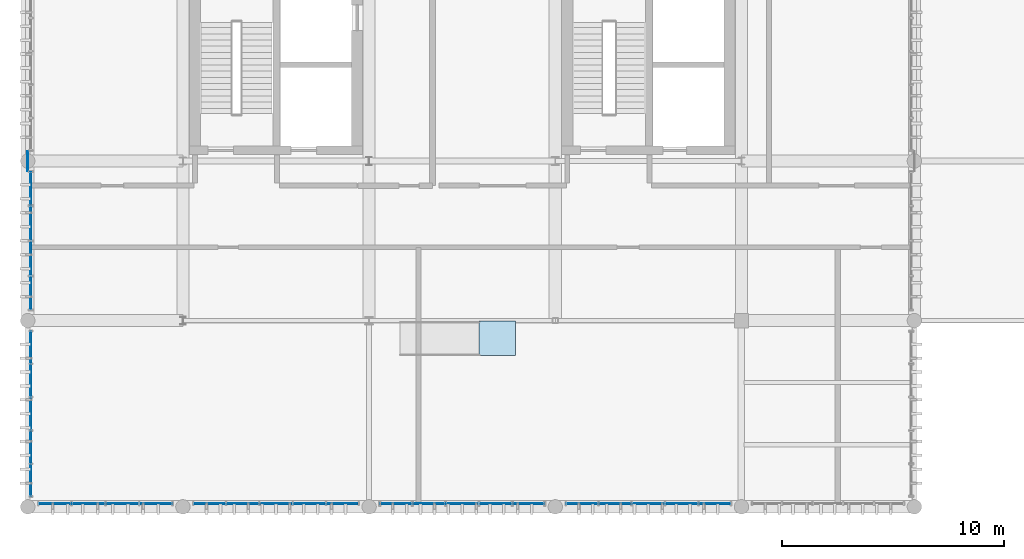
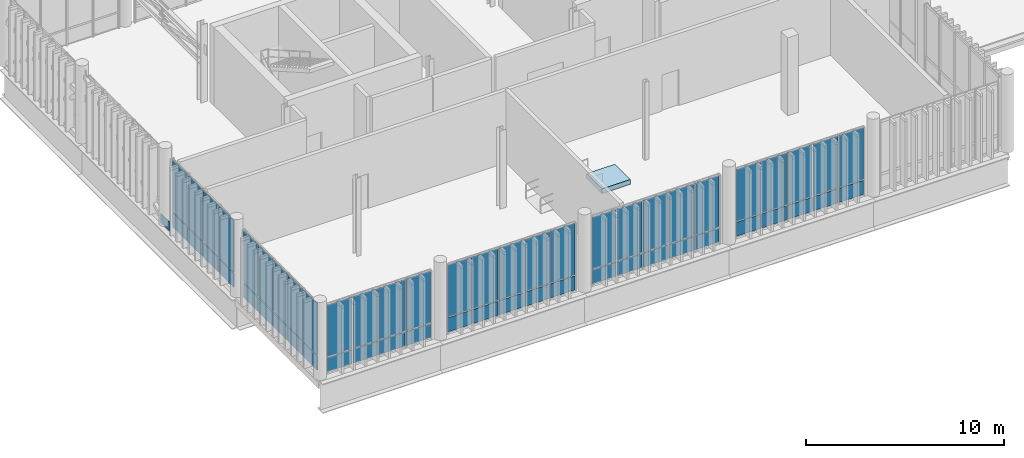
# One storey, part 59 of 81: 57 plates, 1 slab, 6 elements without a shape of their own.
"""IFC4 building model written with IfcOpenShell, lengths in metres."""

from ifc_helpers import new_model, si_unit, direction, frame, frame_2d, origin_with_axes, origin_2d_with_axis, place, context, subcontext, project, spatial, polyline, rectangle, outline, extrude, material, layer, layer_set, type_object, element, aggregate, save


model = new_model("IFC4")

# Units and contexts
model_context = context("Model", 3, precision=1e-05, world=origin_with_axes(), true_north=direction((0.0, 1.0)))
body_context = subcontext(model_context, "Body", "Model", "MODEL_VIEW")
ifc_project = project(units=[si_unit("LENGTHUNIT", "METRE"), si_unit("AREAUNIT", "SQUARE_METRE"), si_unit("VOLUMEUNIT", "CUBIC_METRE"), si_unit("PLANEANGLEUNIT", "RADIAN"), si_unit("MASSUNIT", "GRAM", prefix="KILO"), si_unit("THERMODYNAMICTEMPERATUREUNIT", "KELVIN")], contexts=[model_context])

# Site, building, storey
site_placement = place(None, origin_with_axes())
site = spatial("IfcSite", under=ifc_project, at=site_placement, CompositionType="ELEMENT")
building_placement = place(site_placement, origin_with_axes())
building = spatial("IfcBuilding", under=site, at=building_placement, Name="Montbau Bow Law Courts", CompositionType="ELEMENT")
storey_placement = place(building_placement, frame((0.0, 0.0, 24.9), z_axis=(0.0, 0.0, 1.0), x_axis=(1.0, 0.0, 0.0)))
storey = spatial("IfcBuildingStorey", under=building, at=storey_placement, Name="L05", CompositionType="ELEMENT", Elevation=24.9)

# Curtain wall, plates
ifc_material_1 = material(Name="Thermally Broken Extruded Aluminium AA 6063-T6", Category="aluminium")
curtain_wall_type = type_object("IfcCurtainWallType", Name="CW-TRC-02", PredefinedType="NOTDEFINED", material=ifc_material_1)
curtain_wall_1_placement = place(None, frame((7.24, 30.74, 24.9), z_axis=(0.0, 0.0, 1.0), x_axis=(1.0, 0.0, 0.0)))
curtain_wall_1 = element("IfcCurtainWall", 1, at=curtain_wall_1_placement, inside=storey, type_object=curtain_wall_type, Name="CW-L05-076:cw_0076", PredefinedType="NOTDEFINED")
ifc_material_2 = material(Name="Triple-Glazed Low-E Argon Insulating Glass Unit", Category="glass")
ifc_layer_1 = layer(ifc_material_2, 0.044, Name="Curtain Panel", Category="glass")
ifc_layer_set_1 = layer_set([ifc_layer_1], Name="Triple-Glazed Low-E Argon Insulating Glass Unit")
plate_type_1 = type_object("IfcPlateType", Name="PL-CWP-01", PredefinedType="CURTAIN_PANEL", material=ifc_layer_set_1)
plate_1_placement = place(None, frame((7.308, 30.74, 25.882), z_axis=(0.0, -1.0, 0.0), x_axis=(1.0, 0.0, 0.0)))
plate_1 = element("IfcPlate", 2, at=plate_1_placement, type_object=plate_type_1, Name="CW-L05-076-P01-2:cw_0076_P01_2", PredefinedType="CURTAIN_PANEL", context=body_context, shape_type="SweptSolid", body=[
    extrude(rectangle(XDim=1.428, YDim=3.176, at=frame_2d((0.714, 1.588), x_axis=(1.0, 0.0))), frame((0.0, 0.0, -0.022), z_axis=(0.0, 0.0, 1.0), x_axis=(1.0, 0.0, 0.0)), (0.0, 0.0, 1.0), 0.044),
])
plate_2_placement = place(None, frame((8.805, 30.74, 25.882), z_axis=(0.0, -1.0, 0.0), x_axis=(1.0, 0.0, 0.0)))
plate_2 = element("IfcPlate", 3, at=plate_2_placement, type_object=plate_type_1, Name="CW-L05-076-P02-2:cw_0076_P02_2", PredefinedType="CURTAIN_PANEL", context=body_context, shape_type="SweptSolid", body=[
    extrude(rectangle(XDim=1.461, YDim=3.176, at=frame_2d((0.7305, 1.588), x_axis=(1.0, 0.0))), frame((0.0, 0.0, -0.022), z_axis=(0.0, 0.0, 1.0), x_axis=(1.0, 0.0, 0.0)), (0.0, 0.0, 1.0), 0.044),
])
plate_3_placement = place(None, frame((10.335, 30.74, 25.882), z_axis=(0.0, -1.0, 0.0), x_axis=(1.0, 0.0, 0.0)))
plate_3 = element("IfcPlate", 4, at=plate_3_placement, type_object=plate_type_1, Name="CW-L05-076-P03-2:cw_0076_P03_2", PredefinedType="CURTAIN_PANEL", context=body_context, shape_type="SweptSolid", body=[
    extrude(rectangle(XDim=1.461, YDim=3.176, at=frame_2d((0.7305, 1.588), x_axis=(1.0, 0.0))), frame((0.0, 0.0, -0.022), z_axis=(0.0, 0.0, 1.0), x_axis=(1.0, 0.0, 0.0)), (0.0, 0.0, 1.0), 0.044),
])
plate_4_placement = place(None, frame((11.864, 30.74, 25.882), z_axis=(0.0, -1.0, 0.0), x_axis=(1.0, 0.0, 0.0)))
plate_4 = element("IfcPlate", 5, at=plate_4_placement, type_object=plate_type_1, Name="CW-L05-076-P04-2:cw_0076_P04_2", PredefinedType="CURTAIN_PANEL", context=body_context, shape_type="SweptSolid", body=[
    extrude(rectangle(XDim=1.429, YDim=3.176, at=frame_2d((0.7145, 1.588), x_axis=(1.0, 0.0))), frame((0.0, 0.0, -0.022), z_axis=(0.0, 0.0, 1.0), x_axis=(1.0, 0.0, 0.0)), (0.0, 0.0, 1.0), 0.044),
])

curtain_wall_2_placement = place(None, frame((14.24, 30.74, 24.9), z_axis=(0.0, 0.0, 1.0), x_axis=(1.0, 0.0, 0.0)))
curtain_wall_2 = element("IfcCurtainWall", 6, at=curtain_wall_2_placement, inside=storey, type_object=curtain_wall_type, Name="CW-L05-077:cw_0077", PredefinedType="NOTDEFINED")
plate_5_placement = place(None, frame((14.302, 30.74, 25.88), z_axis=(0.0, -1.0, 0.0), x_axis=(1.0, 0.0, 0.0)))
plate_5 = element("IfcPlate", 7, at=plate_5_placement, type_object=plate_type_1, Name="CW-L05-077-P01-2:cw_0077_P01_2", PredefinedType="CURTAIN_PANEL", context=body_context, shape_type="SweptSolid", body=[
    extrude(rectangle(XDim=1.41, YDim=3.184, at=frame_2d((0.705, 1.592), x_axis=(1.0, 0.0))), frame((0.0, 0.0, -0.022), z_axis=(0.0, 0.0, 1.0), x_axis=(1.0, 0.0, 0.0)), (0.0, 0.0, 1.0), 0.044),
])
plate_6_placement = place(None, frame((15.776, 30.74, 25.88), z_axis=(0.0, -1.0, 0.0), x_axis=(1.0, 0.0, 0.0)))
plate_6 = element("IfcPlate", 8, at=plate_6_placement, type_object=plate_type_1, Name="CW-L05-077-P02-2:cw_0077_P02_2", PredefinedType="CURTAIN_PANEL", context=body_context, shape_type="SweptSolid", body=[
    extrude(rectangle(XDim=1.44, YDim=3.184, at=frame_2d((0.72, 1.592), x_axis=(1.0, 0.0))), frame((0.0, 0.0, -0.022), z_axis=(0.0, 0.0, 1.0), x_axis=(1.0, 0.0, 0.0)), (0.0, 0.0, 1.0), 0.044),
])
plate_7_placement = place(None, frame((17.28, 30.74, 25.88), z_axis=(0.0, -1.0, 0.0), x_axis=(1.0, 0.0, 0.0)))
plate_7 = element("IfcPlate", 9, at=plate_7_placement, type_object=plate_type_1, Name="CW-L05-077-P03-2:cw_0077_P03_2", PredefinedType="CURTAIN_PANEL", context=body_context, shape_type="SweptSolid", body=[
    extrude(rectangle(XDim=1.44, YDim=3.184, at=frame_2d((0.72, 1.592), x_axis=(1.0, 0.0))), frame((0.0, 0.0, -0.022), z_axis=(0.0, 0.0, 1.0), x_axis=(1.0, 0.0, 0.0)), (0.0, 0.0, 1.0), 0.044),
])
plate_8_placement = place(None, frame((18.784, 30.74, 25.88), z_axis=(0.0, -1.0, 0.0), x_axis=(1.0, 0.0, 0.0)))
plate_8 = element("IfcPlate", 10, at=plate_8_placement, type_object=plate_type_1, Name="CW-L05-077-P04-2:cw_0077_P04_2", PredefinedType="CURTAIN_PANEL", context=body_context, shape_type="SweptSolid", body=[
    extrude(rectangle(XDim=1.44, YDim=3.184, at=frame_2d((0.72, 1.592), x_axis=(1.0, 0.0))), frame((0.0, 0.0, -0.022), z_axis=(0.0, 0.0, 1.0), x_axis=(1.0, 0.0, 0.0)), (0.0, 0.0, 1.0), 0.044),
])
plate_9_placement = place(None, frame((20.288, 30.74, 25.88), z_axis=(0.0, -1.0, 0.0), x_axis=(1.0, 0.0, 0.0)))
plate_9 = element("IfcPlate", 11, at=plate_9_placement, type_object=plate_type_1, Name="CW-L05-077-P05-2:cw_0077_P05_2", PredefinedType="CURTAIN_PANEL", context=body_context, shape_type="SweptSolid", body=[
    extrude(rectangle(XDim=1.41, YDim=3.184, at=frame_2d((0.705, 1.592), x_axis=(1.0, 0.0))), frame((0.0, 0.0, -0.022), z_axis=(0.0, 0.0, 1.0), x_axis=(1.0, 0.0, 0.0)), (0.0, 0.0, 1.0), 0.044),
])

curtain_wall_3_placement = place(None, frame((22.64, 30.74, 24.9), z_axis=(0.0, 0.0, 1.0), x_axis=(1.0, 0.0, 0.0)))
curtain_wall_3 = element("IfcCurtainWall", 12, at=curtain_wall_3_placement, inside=storey, type_object=curtain_wall_type, Name="CW-L05-078:cw_0078", PredefinedType="NOTDEFINED")
plate_10_placement = place(None, frame((22.716, 30.74, 25.882), z_axis=(0.0, -1.0, 0.0), x_axis=(1.0, 0.0, 0.0)))
plate_10 = element("IfcPlate", 13, at=plate_10_placement, type_object=plate_type_1, Name="CW-L05-078-P01-2:cw_0078_P01_2", PredefinedType="CURTAIN_PANEL", context=body_context, shape_type="SweptSolid", body=[
    extrude(rectangle(XDim=1.388, YDim=3.176, at=frame_2d((0.694, 1.588), x_axis=(1.0, 0.0))), frame((0.0, 0.0, -0.022), z_axis=(0.0, 0.0, 1.0), x_axis=(1.0, 0.0, 0.0)), (0.0, 0.0, 1.0), 0.044),
])
plate_11_placement = place(None, frame((24.184, 30.74, 25.882), z_axis=(0.0, -1.0, 0.0), x_axis=(1.0, 0.0, 0.0)))
plate_11 = element("IfcPlate", 14, at=plate_11_placement, type_object=plate_type_1, Name="CW-L05-078-P02-2:cw_0078_P02_2", PredefinedType="CURTAIN_PANEL", context=body_context, shape_type="SweptSolid", body=[
    extrude(rectangle(XDim=1.425, YDim=3.176, at=frame_2d((0.7125, 1.588), x_axis=(1.0, 0.0))), frame((0.0, 0.0, -0.022), z_axis=(0.0, 0.0, 1.0), x_axis=(1.0, 0.0, 0.0)), (0.0, 0.0, 1.0), 0.044),
])
plate_12_placement = place(None, frame((25.687, 30.74, 25.882), z_axis=(0.0, -1.0, 0.0), x_axis=(1.0, 0.0, 0.0)))
plate_12 = element("IfcPlate", 15, at=plate_12_placement, type_object=plate_type_1, Name="CW-L05-078-P03-2:cw_0078_P03_2", PredefinedType="CURTAIN_PANEL", context=body_context, shape_type="SweptSolid", body=[
    extrude(rectangle(XDim=1.426, YDim=3.176, at=frame_2d((0.713, 1.588), x_axis=(1.0, 0.0))), frame((0.0, 0.0, -0.022), z_axis=(0.0, 0.0, 1.0), x_axis=(1.0, 0.0, 0.0)), (0.0, 0.0, 1.0), 0.044),
])
plate_13_placement = place(None, frame((27.191, 30.74, 25.882), z_axis=(0.0, -1.0, 0.0), x_axis=(1.0, 0.0, 0.0)))
plate_13 = element("IfcPlate", 16, at=plate_13_placement, type_object=plate_type_1, Name="CW-L05-078-P04-2:cw_0078_P04_2", PredefinedType="CURTAIN_PANEL", context=body_context, shape_type="SweptSolid", body=[
    extrude(rectangle(XDim=1.426, YDim=3.176, at=frame_2d((0.713, 1.588), x_axis=(1.0, 0.0))), frame((0.0, 0.0, -0.022), z_axis=(0.0, 0.0, 1.0), x_axis=(1.0, 0.0, 0.0)), (0.0, 0.0, 1.0), 0.044),
])
plate_14_placement = place(None, frame((28.695, 30.74, 25.882), z_axis=(0.0, -1.0, 0.0), x_axis=(1.0, 0.0, 0.0)))
plate_14 = element("IfcPlate", 17, at=plate_14_placement, type_object=plate_type_1, Name="CW-L05-078-P05-2:cw_0078_P05_2", PredefinedType="CURTAIN_PANEL", context=body_context, shape_type="SweptSolid", body=[
    extrude(rectangle(XDim=1.388, YDim=3.176, at=frame_2d((0.694, 1.588), x_axis=(1.0, 0.0))), frame((0.0, 0.0, -0.022), z_axis=(0.0, 0.0, 1.0), x_axis=(1.0, 0.0, 0.0)), (0.0, 0.0, 1.0), 0.044),
])

curtain_wall_4_placement = place(None, frame((31.04, 30.74, 24.9), z_axis=(0.0, 0.0, 1.0), x_axis=(1.0, 0.0, 0.0)))
curtain_wall_4 = element("IfcCurtainWall", 18, at=curtain_wall_4_placement, inside=storey, type_object=curtain_wall_type, Name="CW-L05-079:cw_0079", PredefinedType="NOTDEFINED")
plate_15_placement = place(None, frame((31.108, 30.74, 25.88), z_axis=(0.0, -1.0, 0.0), x_axis=(1.0, 0.0, 0.0)))
plate_15 = element("IfcPlate", 19, at=plate_15_placement, type_object=plate_type_1, Name="CW-L05-079-P01-2:cw_0079_P01_2", PredefinedType="CURTAIN_PANEL", context=body_context, shape_type="SweptSolid", body=[
    extrude(rectangle(XDim=1.402, YDim=3.184, at=frame_2d((0.701, 1.592), x_axis=(1.0, 0.0))), frame((0.0, 0.0, -0.022), z_axis=(0.0, 0.0, 1.0), x_axis=(1.0, 0.0, 0.0)), (0.0, 0.0, 1.0), 0.044),
])
plate_16_placement = place(None, frame((32.578, 30.74, 25.88), z_axis=(0.0, -1.0, 0.0), x_axis=(1.0, 0.0, 0.0)))
plate_16 = element("IfcPlate", 20, at=plate_16_placement, type_object=plate_type_1, Name="CW-L05-079-P02-2:cw_0079_P02_2", PredefinedType="CURTAIN_PANEL", context=body_context, shape_type="SweptSolid", body=[
    extrude(rectangle(XDim=1.436, YDim=3.184, at=frame_2d((0.718, 1.592), x_axis=(1.0, 0.0))), frame((0.0, 0.0, -0.022), z_axis=(0.0, 0.0, 1.0), x_axis=(1.0, 0.0, 0.0)), (0.0, 0.0, 1.0), 0.044),
])
plate_17_placement = place(None, frame((34.082, 30.74, 25.88), z_axis=(0.0, -1.0, 0.0), x_axis=(1.0, 0.0, 0.0)))
plate_17 = element("IfcPlate", 21, at=plate_17_placement, type_object=plate_type_1, Name="CW-L05-079-P03-2:cw_0079_P03_2", PredefinedType="CURTAIN_PANEL", context=body_context, shape_type="SweptSolid", body=[
    extrude(rectangle(XDim=1.436, YDim=3.184, at=frame_2d((0.718, 1.592), x_axis=(1.0, 0.0))), frame((0.0, 0.0, -0.022), z_axis=(0.0, 0.0, 1.0), x_axis=(1.0, 0.0, 0.0)), (0.0, 0.0, 1.0), 0.044),
])
plate_18_placement = place(None, frame((35.586, 30.74, 25.88), z_axis=(0.0, -1.0, 0.0), x_axis=(1.0, 0.0, 0.0)))
plate_18 = element("IfcPlate", 22, at=plate_18_placement, type_object=plate_type_1, Name="CW-L05-079-P04-2:cw_0079_P04_2", PredefinedType="CURTAIN_PANEL", context=body_context, shape_type="SweptSolid", body=[
    extrude(rectangle(XDim=1.436, YDim=3.184, at=frame_2d((0.718, 1.592), x_axis=(1.0, 0.0))), frame((0.0, 0.0, -0.022), z_axis=(0.0, 0.0, 1.0), x_axis=(1.0, 0.0, 0.0)), (0.0, 0.0, 1.0), 0.044),
])
plate_19_placement = place(None, frame((37.09, 30.74, 25.88), z_axis=(0.0, -1.0, 0.0), x_axis=(1.0, 0.0, 0.0)))
plate_19 = element("IfcPlate", 23, at=plate_19_placement, type_object=plate_type_1, Name="CW-L05-079-P05-2:cw_0079_P05_2", PredefinedType="CURTAIN_PANEL", context=body_context, shape_type="SweptSolid", body=[
    extrude(rectangle(XDim=1.404, YDim=3.184, at=frame_2d((0.702, 1.592), x_axis=(1.0, 0.0))), frame((0.0, 0.0, -0.022), z_axis=(0.0, 0.0, 1.0), x_axis=(1.0, 0.0, 0.0)), (0.0, 0.0, 1.0), 0.044),
])

curtain_wall_5_placement = place(None, frame((6.94, 31.04, 24.9), z_axis=(0.0, 0.0, 1.0), x_axis=(1.0, 0.0, 0.0)))
curtain_wall_5 = element("IfcCurtainWall", 24, at=curtain_wall_5_placement, inside=storey, type_object=curtain_wall_type, Name="CW-L05-086:cw_0086", PredefinedType="NOTDEFINED")
plate_20_placement = place(None, frame((6.94, 31.102, 25.882), z_axis=(1.0, 0.0, 0.0), x_axis=(0.0, 1.0, 0.0)))
plate_20 = element("IfcPlate", 25, at=plate_20_placement, type_object=plate_type_1, Name="CW-L05-086-P01-2:cw_0086_P01_2", PredefinedType="CURTAIN_PANEL", context=body_context, shape_type="SweptSolid", body=[
    extrude(rectangle(XDim=1.41, YDim=3.176, at=frame_2d((0.705, 1.588), x_axis=(1.0, 0.0))), frame((0.0, 0.0, -0.022), z_axis=(0.0, 0.0, 1.0), x_axis=(1.0, 0.0, 0.0)), (0.0, 0.0, 1.0), 0.044),
])
plate_21_placement = place(None, frame((6.94, 32.576, 25.882), z_axis=(1.0, 0.0, 0.0), x_axis=(0.0, 1.0, 0.0)))
plate_21 = element("IfcPlate", 26, at=plate_21_placement, type_object=plate_type_1, Name="CW-L05-086-P02-2:cw_0086_P02_2", PredefinedType="CURTAIN_PANEL", context=body_context, shape_type="SweptSolid", body=[
    extrude(rectangle(XDim=1.44, YDim=3.176, at=frame_2d((0.72, 1.588), x_axis=(1.0, 0.0))), frame((0.0, 0.0, -0.022), z_axis=(0.0, 0.0, 1.0), x_axis=(1.0, 0.0, 0.0)), (0.0, 0.0, 1.0), 0.044),
])
plate_22_placement = place(None, frame((6.94, 34.08, 25.882), z_axis=(1.0, 0.0, 0.0), x_axis=(0.0, 1.0, 0.0)))
plate_22 = element("IfcPlate", 27, at=plate_22_placement, type_object=plate_type_1, Name="CW-L05-086-P03-2:cw_0086_P03_2", PredefinedType="CURTAIN_PANEL", context=body_context, shape_type="SweptSolid", body=[
    extrude(rectangle(XDim=1.44, YDim=3.176, at=frame_2d((0.72, 1.588), x_axis=(1.0, 0.0))), frame((0.0, 0.0, -0.022), z_axis=(0.0, 0.0, 1.0), x_axis=(1.0, 0.0, 0.0)), (0.0, 0.0, 1.0), 0.044),
])
plate_23_placement = place(None, frame((6.94, 35.584, 25.882), z_axis=(1.0, 0.0, 0.0), x_axis=(0.0, 1.0, 0.0)))
plate_23 = element("IfcPlate", 28, at=plate_23_placement, type_object=plate_type_1, Name="CW-L05-086-P04-2:cw_0086_P04_2", PredefinedType="CURTAIN_PANEL", context=body_context, shape_type="SweptSolid", body=[
    extrude(rectangle(XDim=1.44, YDim=3.176, at=frame_2d((0.72, 1.588), x_axis=(1.0, 0.0))), frame((0.0, 0.0, -0.022), z_axis=(0.0, 0.0, 1.0), x_axis=(1.0, 0.0, 0.0)), (0.0, 0.0, 1.0), 0.044),
])
plate_24_placement = place(None, frame((6.94, 37.088, 25.882), z_axis=(1.0, 0.0, 0.0), x_axis=(0.0, 1.0, 0.0)))
plate_24 = element("IfcPlate", 29, at=plate_24_placement, type_object=plate_type_1, Name="CW-L05-086-P05-2:cw_0086_P05_2", PredefinedType="CURTAIN_PANEL", context=body_context, shape_type="SweptSolid", body=[
    extrude(rectangle(XDim=1.41, YDim=3.176, at=frame_2d((0.705, 1.588), x_axis=(1.0, 0.0))), frame((0.0, 0.0, -0.022), z_axis=(0.0, 0.0, 1.0), x_axis=(1.0, 0.0, 0.0)), (0.0, 0.0, 1.0), 0.044),
])

curtain_wall_6_placement = place(None, frame((6.94, 39.44, 24.9), z_axis=(0.0, 0.0, 1.0), x_axis=(1.0, 0.0, 0.0)))
curtain_wall_6 = element("IfcCurtainWall", 30, at=curtain_wall_6_placement, inside=storey, type_object=curtain_wall_type, Name="CW-L05-087:cw_0087", PredefinedType="NOTDEFINED")
plate_25_placement = place(None, frame((6.94, 39.516, 25.88), z_axis=(1.0, 0.0, 0.0), x_axis=(0.0, 1.0, 0.0)))
plate_25 = element("IfcPlate", 31, at=plate_25_placement, type_object=plate_type_1, Name="CW-L05-087-P01-2:cw_0087_P01_2", PredefinedType="CURTAIN_PANEL", context=body_context, shape_type="SweptSolid", body=[
    extrude(rectangle(XDim=1.464, YDim=3.184, at=frame_2d((0.732, 1.592), x_axis=(1.0, 0.0))), frame((0.0, 0.0, -0.022), z_axis=(0.0, 0.0, 1.0), x_axis=(1.0, 0.0, 0.0)), (0.0, 0.0, 1.0), 0.044),
])
plate_26_placement = place(None, frame((6.94, 41.06, 25.88), z_axis=(1.0, 0.0, 0.0), x_axis=(0.0, 1.0, 0.0)))
plate_26 = element("IfcPlate", 32, at=plate_26_placement, type_object=plate_type_1, Name="CW-L05-087-P02-2:cw_0087_P02_2", PredefinedType="CURTAIN_PANEL", context=body_context, shape_type="SweptSolid", body=[
    extrude(rectangle(XDim=1.501, YDim=3.184, at=frame_2d((0.7505, 1.592), x_axis=(1.0, 0.0))), frame((0.0, 0.0, -0.022), z_axis=(0.0, 0.0, 1.0), x_axis=(1.0, 0.0, 0.0)), (0.0, 0.0, 1.0), 0.044),
])
plate_27_placement = place(None, frame((6.94, 42.64, 25.88), z_axis=(1.0, 0.0, 0.0), x_axis=(0.0, 1.0, 0.0)))
plate_27 = element("IfcPlate", 33, at=plate_27_placement, type_object=plate_type_1, Name="CW-L05-087-P03-2:cw_0087_P03_2", PredefinedType="CURTAIN_PANEL", context=body_context, shape_type="SweptSolid", body=[
    extrude(rectangle(XDim=1.501, YDim=3.184, at=frame_2d((0.7505, 1.592), x_axis=(1.0, 0.0))), frame((0.0, 0.0, -0.022), z_axis=(0.0, 0.0, 1.0), x_axis=(1.0, 0.0, 0.0)), (0.0, 0.0, 1.0), 0.044),
])
plate_28_placement = place(None, frame((6.94, 44.219, 25.88), z_axis=(1.0, 0.0, 0.0), x_axis=(0.0, 1.0, 0.0)))
plate_28 = element("IfcPlate", 34, at=plate_28_placement, type_object=plate_type_1, Name="CW-L05-087-P04-2:cw_0087_P04_2", PredefinedType="CURTAIN_PANEL", context=body_context, shape_type="SweptSolid", body=[
    extrude(rectangle(XDim=1.465, YDim=3.184, at=frame_2d((0.7325, 1.592), x_axis=(1.0, 0.0))), frame((0.0, 0.0, -0.022), z_axis=(0.0, 0.0, 1.0), x_axis=(1.0, 0.0, 0.0)), (0.0, 0.0, 1.0), 0.044),
])

# Plate
ifc_material_3 = material(Name="Insulated Ceramic-Frit Spandrel Glazing Unit", Category="glass")
ifc_layer_2 = layer(ifc_material_3, 0.056, Name="Curtain Panel", Category="glass")
ifc_layer_set_2 = layer_set([ifc_layer_2], Name="Insulated Ceramic-Frit Spandrel Glazing Unit")
plate_type_2 = type_object("IfcPlateType", Name="PL-CWP-02", PredefinedType="CURTAIN_PANEL", material=ifc_layer_set_2)
plate_29_placement = place(None, frame((7.308, 30.74, 24.962), z_axis=(0.0, -1.0, 0.0), x_axis=(1.0, 0.0, 0.0)))
plate_29 = element("IfcPlate", 35, at=plate_29_placement, type_object=plate_type_2, Name="CW-L05-076-P01-1:cw_0076_P01_1", PredefinedType="CURTAIN_PANEL", context=body_context, shape_type="SweptSolid", body=[
    extrude(rectangle(XDim=1.428, YDim=0.856, at=frame_2d((0.714, 0.428), x_axis=(1.0, 0.0))), frame((0.0, 0.0, -0.028), z_axis=(0.0, 0.0, 1.0), x_axis=(1.0, 0.0, 0.0)), (0.0, 0.0, 1.0), 0.056),
])

plate_30_placement = place(None, frame((8.805, 30.74, 24.962), z_axis=(0.0, -1.0, 0.0), x_axis=(1.0, 0.0, 0.0)))
plate_30 = element("IfcPlate", 36, at=plate_30_placement, type_object=plate_type_2, Name="CW-L05-076-P02-1:cw_0076_P02_1", PredefinedType="CURTAIN_PANEL", context=body_context, shape_type="SweptSolid", body=[
    extrude(rectangle(XDim=1.461, YDim=0.856, at=frame_2d((0.7305, 0.428), x_axis=(1.0, 0.0))), frame((0.0, 0.0, -0.028), z_axis=(0.0, 0.0, 1.0), x_axis=(1.0, 0.0, 0.0)), (0.0, 0.0, 1.0), 0.056),
])

plate_31_placement = place(None, frame((10.335, 30.74, 24.962), z_axis=(0.0, -1.0, 0.0), x_axis=(1.0, 0.0, 0.0)))
plate_31 = element("IfcPlate", 37, at=plate_31_placement, type_object=plate_type_2, Name="CW-L05-076-P03-1:cw_0076_P03_1", PredefinedType="CURTAIN_PANEL", context=body_context, shape_type="SweptSolid", body=[
    extrude(rectangle(XDim=1.461, YDim=0.856, at=frame_2d((0.7305, 0.428), x_axis=(1.0, 0.0))), frame((0.0, 0.0, -0.028), z_axis=(0.0, 0.0, 1.0), x_axis=(1.0, 0.0, 0.0)), (0.0, 0.0, 1.0), 0.056),
])

plate_32_placement = place(None, frame((11.864, 30.74, 24.962), z_axis=(0.0, -1.0, 0.0), x_axis=(1.0, 0.0, 0.0)))
plate_32 = element("IfcPlate", 38, at=plate_32_placement, type_object=plate_type_2, Name="CW-L05-076-P04-1:cw_0076_P04_1", PredefinedType="CURTAIN_PANEL", context=body_context, shape_type="SweptSolid", body=[
    extrude(rectangle(XDim=1.429, YDim=0.856, at=frame_2d((0.7145, 0.428), x_axis=(1.0, 0.0))), frame((0.0, 0.0, -0.028), z_axis=(0.0, 0.0, 1.0), x_axis=(1.0, 0.0, 0.0)), (0.0, 0.0, 1.0), 0.056),
])

aggregate(curtain_wall_1, [plate_29, plate_1, plate_30, plate_2, plate_31, plate_3, plate_32, plate_4])

plate_33_placement = place(None, frame((14.302, 30.74, 24.956), z_axis=(0.0, -1.0, 0.0), x_axis=(1.0, 0.0, 0.0)))
plate_33 = element("IfcPlate", 39, at=plate_33_placement, type_object=plate_type_2, Name="CW-L05-077-P01-1:cw_0077_P01_1", PredefinedType="CURTAIN_PANEL", context=body_context, shape_type="SweptSolid", body=[
    extrude(rectangle(XDim=1.41, YDim=0.865, at=frame_2d((0.705, 0.4325), x_axis=(1.0, 0.0))), frame((0.0, 0.0, -0.028), z_axis=(0.0, 0.0, 1.0), x_axis=(1.0, 0.0, 0.0)), (0.0, 0.0, 1.0), 0.056),
])

plate_34_placement = place(None, frame((15.776, 30.74, 24.956), z_axis=(0.0, -1.0, 0.0), x_axis=(1.0, 0.0, 0.0)))
plate_34 = element("IfcPlate", 40, at=plate_34_placement, type_object=plate_type_2, Name="CW-L05-077-P02-1:cw_0077_P02_1", PredefinedType="CURTAIN_PANEL", context=body_context, shape_type="SweptSolid", body=[
    extrude(rectangle(XDim=1.44, YDim=0.865, at=frame_2d((0.72, 0.4325), x_axis=(1.0, 0.0))), frame((0.0, 0.0, -0.028), z_axis=(0.0, 0.0, 1.0), x_axis=(1.0, 0.0, 0.0)), (0.0, 0.0, 1.0), 0.056),
])

plate_35_placement = place(None, frame((17.28, 30.74, 24.956), z_axis=(0.0, -1.0, 0.0), x_axis=(1.0, 0.0, 0.0)))
plate_35 = element("IfcPlate", 41, at=plate_35_placement, type_object=plate_type_2, Name="CW-L05-077-P03-1:cw_0077_P03_1", PredefinedType="CURTAIN_PANEL", context=body_context, shape_type="SweptSolid", body=[
    extrude(rectangle(XDim=1.44, YDim=0.865, at=frame_2d((0.72, 0.4325), x_axis=(1.0, 0.0))), frame((0.0, 0.0, -0.028), z_axis=(0.0, 0.0, 1.0), x_axis=(1.0, 0.0, 0.0)), (0.0, 0.0, 1.0), 0.056),
])

plate_36_placement = place(None, frame((18.784, 30.74, 24.956), z_axis=(0.0, -1.0, 0.0), x_axis=(1.0, 0.0, 0.0)))
plate_36 = element("IfcPlate", 42, at=plate_36_placement, type_object=plate_type_2, Name="CW-L05-077-P04-1:cw_0077_P04_1", PredefinedType="CURTAIN_PANEL", context=body_context, shape_type="SweptSolid", body=[
    extrude(rectangle(XDim=1.44, YDim=0.865, at=frame_2d((0.72, 0.4325), x_axis=(1.0, 0.0))), frame((0.0, 0.0, -0.028), z_axis=(0.0, 0.0, 1.0), x_axis=(1.0, 0.0, 0.0)), (0.0, 0.0, 1.0), 0.056),
])

plate_37_placement = place(None, frame((20.288, 30.74, 24.956), z_axis=(0.0, -1.0, 0.0), x_axis=(1.0, 0.0, 0.0)))
plate_37 = element("IfcPlate", 43, at=plate_37_placement, type_object=plate_type_2, Name="CW-L05-077-P05-1:cw_0077_P05_1", PredefinedType="CURTAIN_PANEL", context=body_context, shape_type="SweptSolid", body=[
    extrude(rectangle(XDim=1.41, YDim=0.865, at=frame_2d((0.705, 0.4325), x_axis=(1.0, 0.0))), frame((0.0, 0.0, -0.028), z_axis=(0.0, 0.0, 1.0), x_axis=(1.0, 0.0, 0.0)), (0.0, 0.0, 1.0), 0.056),
])

aggregate(curtain_wall_2, [plate_33, plate_5, plate_34, plate_6, plate_35, plate_7, plate_36, plate_8, plate_37, plate_9])

plate_38_placement = place(None, frame((22.716, 30.74, 24.962), z_axis=(0.0, -1.0, 0.0), x_axis=(1.0, 0.0, 0.0)))
plate_38 = element("IfcPlate", 44, at=plate_38_placement, type_object=plate_type_2, Name="CW-L05-078-P01-1:cw_0078_P01_1", PredefinedType="CURTAIN_PANEL", context=body_context, shape_type="SweptSolid", body=[
    extrude(rectangle(XDim=1.388, YDim=0.856, at=frame_2d((0.694, 0.428), x_axis=(1.0, 0.0))), frame((0.0, 0.0, -0.028), z_axis=(0.0, 0.0, 1.0), x_axis=(1.0, 0.0, 0.0)), (0.0, 0.0, 1.0), 0.056),
])

plate_39_placement = place(None, frame((24.184, 30.74, 24.962), z_axis=(0.0, -1.0, 0.0), x_axis=(1.0, 0.0, 0.0)))
plate_39 = element("IfcPlate", 45, at=plate_39_placement, type_object=plate_type_2, Name="CW-L05-078-P02-1:cw_0078_P02_1", PredefinedType="CURTAIN_PANEL", context=body_context, shape_type="SweptSolid", body=[
    extrude(rectangle(XDim=1.425, YDim=0.856, at=frame_2d((0.7125, 0.428), x_axis=(1.0, 0.0))), frame((0.0, 0.0, -0.028), z_axis=(0.0, 0.0, 1.0), x_axis=(1.0, 0.0, 0.0)), (0.0, 0.0, 1.0), 0.056),
])

plate_40_placement = place(None, frame((25.687, 30.74, 24.962), z_axis=(0.0, -1.0, 0.0), x_axis=(1.0, 0.0, 0.0)))
plate_40 = element("IfcPlate", 46, at=plate_40_placement, type_object=plate_type_2, Name="CW-L05-078-P03-1:cw_0078_P03_1", PredefinedType="CURTAIN_PANEL", context=body_context, shape_type="SweptSolid", body=[
    extrude(rectangle(XDim=1.426, YDim=0.856, at=frame_2d((0.713, 0.428), x_axis=(1.0, 0.0))), frame((0.0, 0.0, -0.028), z_axis=(0.0, 0.0, 1.0), x_axis=(1.0, 0.0, 0.0)), (0.0, 0.0, 1.0), 0.056),
])

plate_41_placement = place(None, frame((27.191, 30.74, 24.962), z_axis=(0.0, -1.0, 0.0), x_axis=(1.0, 0.0, 0.0)))
plate_41 = element("IfcPlate", 47, at=plate_41_placement, type_object=plate_type_2, Name="CW-L05-078-P04-1:cw_0078_P04_1", PredefinedType="CURTAIN_PANEL", context=body_context, shape_type="SweptSolid", body=[
    extrude(rectangle(XDim=1.426, YDim=0.856, at=frame_2d((0.713, 0.428), x_axis=(1.0, 0.0))), frame((0.0, 0.0, -0.028), z_axis=(0.0, 0.0, 1.0), x_axis=(1.0, 0.0, 0.0)), (0.0, 0.0, 1.0), 0.056),
])

plate_42_placement = place(None, frame((28.695, 30.74, 24.962), z_axis=(0.0, -1.0, 0.0), x_axis=(1.0, 0.0, 0.0)))
plate_42 = element("IfcPlate", 48, at=plate_42_placement, type_object=plate_type_2, Name="CW-L05-078-P05-1:cw_0078_P05_1", PredefinedType="CURTAIN_PANEL", context=body_context, shape_type="SweptSolid", body=[
    extrude(rectangle(XDim=1.388, YDim=0.856, at=frame_2d((0.694, 0.428), x_axis=(1.0, 0.0))), frame((0.0, 0.0, -0.028), z_axis=(0.0, 0.0, 1.0), x_axis=(1.0, 0.0, 0.0)), (0.0, 0.0, 1.0), 0.056),
])

aggregate(curtain_wall_3, [plate_38, plate_10, plate_39, plate_11, plate_40, plate_12, plate_41, plate_13, plate_42, plate_14])

plate_43_placement = place(None, frame((31.108, 30.74, 24.956), z_axis=(0.0, -1.0, 0.0), x_axis=(1.0, 0.0, 0.0)))
plate_43 = element("IfcPlate", 49, at=plate_43_placement, type_object=plate_type_2, Name="CW-L05-079-P01-1:cw_0079_P01_1", PredefinedType="CURTAIN_PANEL", context=body_context, shape_type="SweptSolid", body=[
    extrude(rectangle(XDim=1.402, YDim=0.865, at=frame_2d((0.701, 0.4325), x_axis=(1.0, 0.0))), frame((0.0, 0.0, -0.028), z_axis=(0.0, 0.0, 1.0), x_axis=(1.0, 0.0, 0.0)), (0.0, 0.0, 1.0), 0.056),
])

plate_44_placement = place(None, frame((32.578, 30.74, 24.956), z_axis=(0.0, -1.0, 0.0), x_axis=(1.0, 0.0, 0.0)))
plate_44 = element("IfcPlate", 50, at=plate_44_placement, type_object=plate_type_2, Name="CW-L05-079-P02-1:cw_0079_P02_1", PredefinedType="CURTAIN_PANEL", context=body_context, shape_type="SweptSolid", body=[
    extrude(rectangle(XDim=1.436, YDim=0.865, at=frame_2d((0.718, 0.4325), x_axis=(1.0, 0.0))), frame((0.0, 0.0, -0.028), z_axis=(0.0, 0.0, 1.0), x_axis=(1.0, 0.0, 0.0)), (0.0, 0.0, 1.0), 0.056),
])

plate_45_placement = place(None, frame((34.082, 30.74, 24.956), z_axis=(0.0, -1.0, 0.0), x_axis=(1.0, 0.0, 0.0)))
plate_45 = element("IfcPlate", 51, at=plate_45_placement, type_object=plate_type_2, Name="CW-L05-079-P03-1:cw_0079_P03_1", PredefinedType="CURTAIN_PANEL", context=body_context, shape_type="SweptSolid", body=[
    extrude(rectangle(XDim=1.436, YDim=0.865, at=frame_2d((0.718, 0.4325), x_axis=(1.0, 0.0))), frame((0.0, 0.0, -0.028), z_axis=(0.0, 0.0, 1.0), x_axis=(1.0, 0.0, 0.0)), (0.0, 0.0, 1.0), 0.056),
])

plate_46_placement = place(None, frame((35.586, 30.74, 24.956), z_axis=(0.0, -1.0, 0.0), x_axis=(1.0, 0.0, 0.0)))
plate_46 = element("IfcPlate", 52, at=plate_46_placement, type_object=plate_type_2, Name="CW-L05-079-P04-1:cw_0079_P04_1", PredefinedType="CURTAIN_PANEL", context=body_context, shape_type="SweptSolid", body=[
    extrude(rectangle(XDim=1.436, YDim=0.865, at=frame_2d((0.718, 0.4325), x_axis=(1.0, 0.0))), frame((0.0, 0.0, -0.028), z_axis=(0.0, 0.0, 1.0), x_axis=(1.0, 0.0, 0.0)), (0.0, 0.0, 1.0), 0.056),
])

plate_47_placement = place(None, frame((37.09, 30.74, 24.956), z_axis=(0.0, -1.0, 0.0), x_axis=(1.0, 0.0, 0.0)))
plate_47 = element("IfcPlate", 53, at=plate_47_placement, type_object=plate_type_2, Name="CW-L05-079-P05-1:cw_0079_P05_1", PredefinedType="CURTAIN_PANEL", context=body_context, shape_type="SweptSolid", body=[
    extrude(rectangle(XDim=1.404, YDim=0.865, at=frame_2d((0.702, 0.4325), x_axis=(1.0, 0.0))), frame((0.0, 0.0, -0.028), z_axis=(0.0, 0.0, 1.0), x_axis=(1.0, 0.0, 0.0)), (0.0, 0.0, 1.0), 0.056),
])

aggregate(curtain_wall_4, [plate_43, plate_15, plate_44, plate_16, plate_45, plate_17, plate_46, plate_18, plate_47, plate_19])

plate_48_placement = place(None, frame((6.94, 31.102, 24.962), z_axis=(1.0, 0.0, 0.0), x_axis=(0.0, 1.0, 0.0)))
plate_48 = element("IfcPlate", 54, at=plate_48_placement, type_object=plate_type_2, Name="CW-L05-086-P01-1:cw_0086_P01_1", PredefinedType="CURTAIN_PANEL", context=body_context, shape_type="SweptSolid", body=[
    extrude(rectangle(XDim=1.41, YDim=0.856, at=frame_2d((0.705, 0.428), x_axis=(1.0, 0.0))), frame((0.0, 0.0, -0.028), z_axis=(0.0, 0.0, 1.0), x_axis=(1.0, 0.0, 0.0)), (0.0, 0.0, 1.0), 0.056),
])

plate_49_placement = place(None, frame((6.94, 32.576, 24.962), z_axis=(1.0, 0.0, 0.0), x_axis=(0.0, 1.0, 0.0)))
plate_49 = element("IfcPlate", 55, at=plate_49_placement, type_object=plate_type_2, Name="CW-L05-086-P02-1:cw_0086_P02_1", PredefinedType="CURTAIN_PANEL", context=body_context, shape_type="SweptSolid", body=[
    extrude(rectangle(XDim=1.44, YDim=0.856, at=frame_2d((0.72, 0.428), x_axis=(1.0, 0.0))), frame((0.0, 0.0, -0.028), z_axis=(0.0, 0.0, 1.0), x_axis=(1.0, 0.0, 0.0)), (0.0, 0.0, 1.0), 0.056),
])

plate_50_placement = place(None, frame((6.94, 34.08, 24.962), z_axis=(1.0, 0.0, 0.0), x_axis=(0.0, 1.0, 0.0)))
plate_50 = element("IfcPlate", 56, at=plate_50_placement, type_object=plate_type_2, Name="CW-L05-086-P03-1:cw_0086_P03_1", PredefinedType="CURTAIN_PANEL", context=body_context, shape_type="SweptSolid", body=[
    extrude(rectangle(XDim=1.44, YDim=0.856, at=frame_2d((0.72, 0.428), x_axis=(1.0, 0.0))), frame((0.0, 0.0, -0.028), z_axis=(0.0, 0.0, 1.0), x_axis=(1.0, 0.0, 0.0)), (0.0, 0.0, 1.0), 0.056),
])

plate_51_placement = place(None, frame((6.94, 35.584, 24.962), z_axis=(1.0, 0.0, 0.0), x_axis=(0.0, 1.0, 0.0)))
plate_51 = element("IfcPlate", 57, at=plate_51_placement, type_object=plate_type_2, Name="CW-L05-086-P04-1:cw_0086_P04_1", PredefinedType="CURTAIN_PANEL", context=body_context, shape_type="SweptSolid", body=[
    extrude(rectangle(XDim=1.44, YDim=0.856, at=frame_2d((0.72, 0.428), x_axis=(1.0, 0.0))), frame((0.0, 0.0, -0.028), z_axis=(0.0, 0.0, 1.0), x_axis=(1.0, 0.0, 0.0)), (0.0, 0.0, 1.0), 0.056),
])

plate_52_placement = place(None, frame((6.94, 37.088, 24.962), z_axis=(1.0, 0.0, 0.0), x_axis=(0.0, 1.0, 0.0)))
plate_52 = element("IfcPlate", 58, at=plate_52_placement, type_object=plate_type_2, Name="CW-L05-086-P05-1:cw_0086_P05_1", PredefinedType="CURTAIN_PANEL", context=body_context, shape_type="SweptSolid", body=[
    extrude(rectangle(XDim=1.41, YDim=0.856, at=frame_2d((0.705, 0.428), x_axis=(1.0, 0.0))), frame((0.0, 0.0, -0.028), z_axis=(0.0, 0.0, 1.0), x_axis=(1.0, 0.0, 0.0)), (0.0, 0.0, 1.0), 0.056),
])

aggregate(curtain_wall_5, [plate_48, plate_20, plate_49, plate_21, plate_50, plate_22, plate_51, plate_23, plate_52, plate_24])

plate_53_placement = place(None, frame((6.94, 39.516, 24.956), z_axis=(1.0, 0.0, 0.0), x_axis=(0.0, 1.0, 0.0)))
plate_53 = element("IfcPlate", 59, at=plate_53_placement, type_object=plate_type_2, Name="CW-L05-087-P01-1:cw_0087_P01_1", PredefinedType="CURTAIN_PANEL", context=body_context, shape_type="SweptSolid", body=[
    extrude(rectangle(XDim=1.464, YDim=0.865, at=frame_2d((0.732, 0.4325), x_axis=(1.0, 0.0))), frame((0.0, 0.0, -0.028), z_axis=(0.0, 0.0, 1.0), x_axis=(1.0, 0.0, 0.0)), (0.0, 0.0, 1.0), 0.056),
])

plate_54_placement = place(None, frame((6.94, 41.06, 24.956), z_axis=(1.0, 0.0, 0.0), x_axis=(0.0, 1.0, 0.0)))
plate_54 = element("IfcPlate", 60, at=plate_54_placement, type_object=plate_type_2, Name="CW-L05-087-P02-1:cw_0087_P02_1", PredefinedType="CURTAIN_PANEL", context=body_context, shape_type="SweptSolid", body=[
    extrude(rectangle(XDim=1.501, YDim=0.865, at=frame_2d((0.7505, 0.4325), x_axis=(1.0, 0.0))), frame((0.0, 0.0, -0.028), z_axis=(0.0, 0.0, 1.0), x_axis=(1.0, 0.0, 0.0)), (0.0, 0.0, 1.0), 0.056),
])

plate_55_placement = place(None, frame((6.94, 42.64, 24.956), z_axis=(1.0, 0.0, 0.0), x_axis=(0.0, 1.0, 0.0)))
plate_55 = element("IfcPlate", 61, at=plate_55_placement, type_object=plate_type_2, Name="CW-L05-087-P03-1:cw_0087_P03_1", PredefinedType="CURTAIN_PANEL", context=body_context, shape_type="SweptSolid", body=[
    extrude(rectangle(XDim=1.501, YDim=0.865, at=frame_2d((0.7505, 0.4325), x_axis=(1.0, 0.0))), frame((0.0, 0.0, -0.028), z_axis=(0.0, 0.0, 1.0), x_axis=(1.0, 0.0, 0.0)), (0.0, 0.0, 1.0), 0.056),
])

plate_56_placement = place(None, frame((6.94, 44.219, 24.956), z_axis=(1.0, 0.0, 0.0), x_axis=(0.0, 1.0, 0.0)))
plate_56 = element("IfcPlate", 62, at=plate_56_placement, type_object=plate_type_2, Name="CW-L05-087-P04-1:cw_0087_P04_1", PredefinedType="CURTAIN_PANEL", context=body_context, shape_type="SweptSolid", body=[
    extrude(rectangle(XDim=1.465, YDim=0.865, at=frame_2d((0.7325, 0.4325), x_axis=(1.0, 0.0))), frame((0.0, 0.0, -0.028), z_axis=(0.0, 0.0, 1.0), x_axis=(1.0, 0.0, 0.0)), (0.0, 0.0, 1.0), 0.056),
])

aggregate(curtain_wall_6, [plate_53, plate_25, plate_54, plate_26, plate_55, plate_27, plate_56, plate_28])

ifc_material_4 = material(Name="Steel CSA G40.21 Grade 350WT (350 MPa)", Category="steel")
ifc_layer_3 = layer(ifc_material_4, 0.032, Name="Gusset Plate", Category="steel")
ifc_layer_set_3 = layer_set([ifc_layer_3], Name="Steel CSA G40.21 Grade 350WT (350 MPa)")
plate_type_3 = type_object("IfcPlateType", Name="PL-GUS-01", PredefinedType="USERDEFINED", material=ifc_layer_set_3)
plate_57_placement = place(None, frame((6.8, 46.2, 24.67), z_axis=(0.0, 0.0, 1.0), x_axis=(0.0, 1.0, 0.0)))
element("IfcPlate", 63, at=plate_57_placement, inside=storey, type_object=plate_type_3, Name="BGP-L05-102:plt_0133", ObjectType="GUSSET_PLATE", PredefinedType="USERDEFINED", context=body_context, shape_type="SweptSolid", body=[
    extrude(rectangle(XDim=0.9, YDim=0.032, at=origin_2d_with_axis()), origin_with_axes(), (0.0, 0.0, 1.0), 0.56),
])

# Slab
ifc_material_5 = material(Name="Concrete CSA A23.1 f'c 40 MPa", Category="concrete")
ifc_layer_4 = layer(ifc_material_5, 0.3, Name="Floor Slab", Category="concrete")
ifc_layer_set_4 = layer_set([ifc_layer_4], Name="Concrete CSA A23.1 f'c 40 MPa")
slab_type = type_object("IfcSlabType", Name="SL-FLR-06", PredefinedType="FLOOR", material=ifc_layer_set_4)
slab_placement = place(None, frame((0.0, 0.0, 24.9), z_axis=(0.0, 0.0, 1.0), x_axis=(1.0, 0.0, 0.0)))
element("IfcSlab", 64, at=slab_placement, inside=storey, type_object=slab_type, Name="DAIS-R-BF4:slb_0095", PredefinedType="FLOOR", context=body_context, shape_type="SweptSolid", body=[
    extrude(outline(polyline([(27.155, 37.425), (28.8, 37.425), (28.8, 38.975), (27.155, 38.975), (27.155, 37.425)])), origin_with_axes(), (0.0, 0.0, 1.0), 0.3),
])

save(model, "model.ifc")
